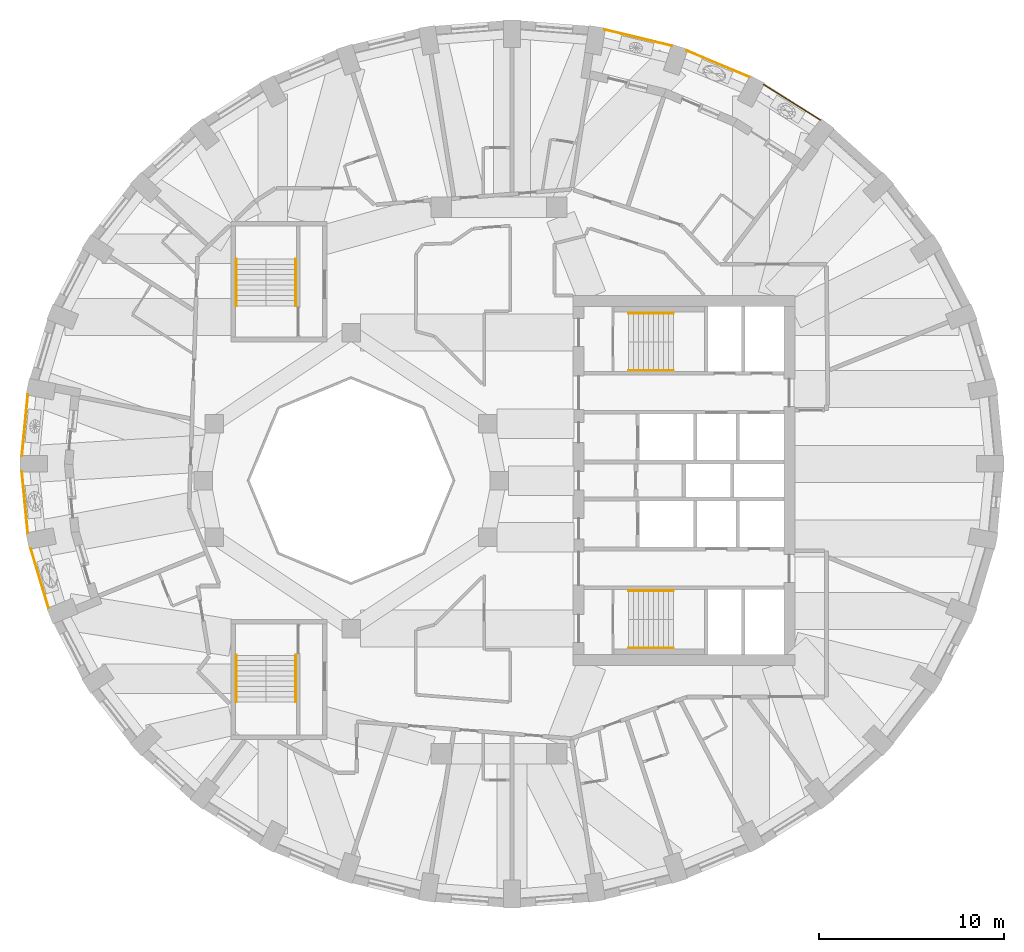
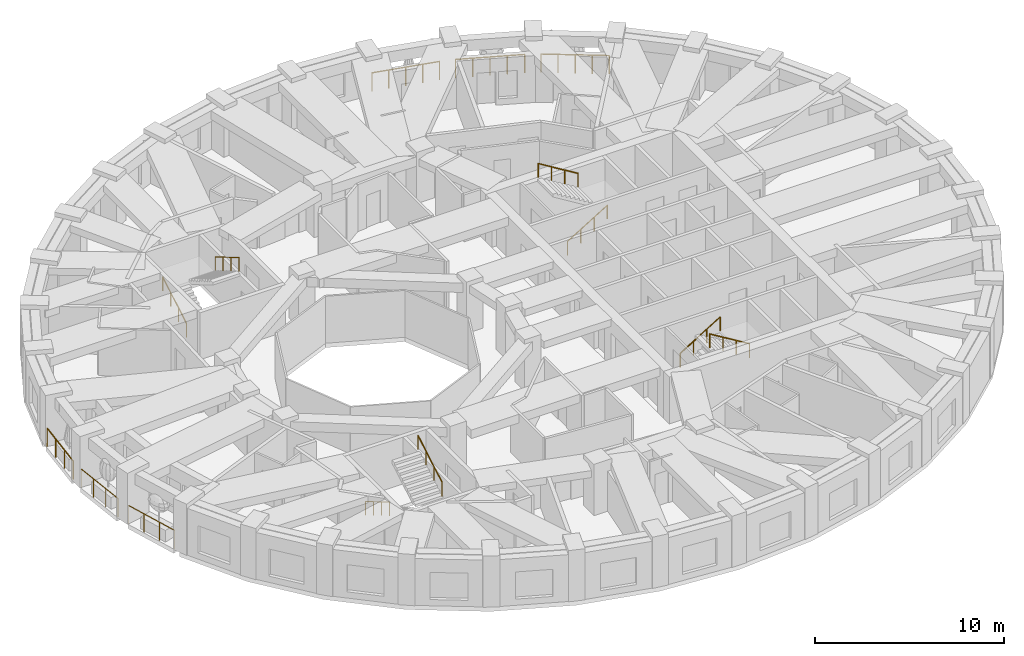
# One storey, part 10 of 12: 14 railings.
"""IFC4 building model written with IfcOpenShell, lengths in metres."""

import ifcopenshell
import ifcopenshell.guid

model = None  # the IFC model being written
_history = None  # IfcOwnerHistory: only IFC2X3 demands one
_inside = {}  # id of a spatial element -> (the spatial element, [elements in it])
_under = {}  # id of a project, library or spatial element -> (it, [spatial elements below it])
_declared = {}  # id of a project -> (the project, [libraries it declares])
_typed = {}  # id of a type object -> (the type object, [elements of that type])
_made_of = {}  # id of a material, layer set ... -> (it, [elements and type objects made of it])


def new_model(schema):
    """Start an empty IFC model of exactly this schema.

    Asked for "IFC4X3", IfcOpenShell would pick the latest addendum, in which some entities
    have other attributes; the version numbers below select the first issue.
    IFC2X3 requires an IfcOwnerHistory on every rooted entity: one is made here for all.
    """
    global model, _history
    if schema == "IFC4X3":
        model = ifcopenshell.file(schema_version=(4, 3, 0, 0))
    else:
        model = ifcopenshell.file(schema=schema)
    _inside.clear()
    _under.clear()
    _declared.clear()
    _typed.clear()
    _made_of.clear()
    _history = None
    if model.schema == "IFC2X3":
        org = make("IfcOrganization", Name="unknown")
        user = make(
            "IfcPersonAndOrganization",
            ThePerson=make("IfcPerson", FamilyName="unknown"),
            TheOrganization=org,
        )
        app = make(
            "IfcApplication",
            ApplicationDeveloper=org,
            Version="unknown",
            ApplicationFullName="unknown",
            ApplicationIdentifier="unknown",
        )
        _history = make(
            "IfcOwnerHistory",
            OwningUser=user,
            OwningApplication=app,
            ChangeAction="ADDED",
            CreationDate=0,
        )
    return model


def make(cls, **values):
    """One entity of the class cls with the attributes given. An attribute that is None is left unset."""
    return model.create_entity(
        cls, **{name: value for name, value in values.items() if value is not None}
    )


def rooted(cls, **values):
    """An entity with a GlobalId (a new one), such as an element, a storey or a relation."""
    return make(cls, GlobalId=ifcopenshell.guid.new(), OwnerHistory=_history, **values)


def si_unit(unit_type, name, prefix=None):
    """IfcSIUnit, for example si_unit("LENGTHUNIT", "METRE", prefix="MILLI")."""
    return make("IfcSIUnit", UnitType=unit_type, Prefix=prefix, Name=name)


def assignment(units):
    """IfcUnitAssignment: the units of a project."""
    return None if units is None else make("IfcUnitAssignment", Units=units)


def point(xyz):
    """IfcCartesianPoint."""
    return None if xyz is None else make("IfcCartesianPoint", Coordinates=xyz)


def direction(xyz):
    """IfcDirection."""
    return None if xyz is None else make("IfcDirection", DirectionRatios=xyz)


def frame(location, z_axis=None, x_axis=None):
    """IfcAxis2Placement3D, a coordinate frame: its origin and axes. An axis left out is left unset."""
    return make(
        "IfcAxis2Placement3D",
        Location=point(location),
        Axis=direction(z_axis),
        RefDirection=direction(x_axis),
    )


def frame_2d(location, x_axis=None):
    """IfcAxis2Placement2D, a coordinate frame in the plane: its origin and x axis."""
    return make(
        "IfcAxis2Placement2D", Location=point(location), RefDirection=direction(x_axis)
    )


def origin():
    """The frame at (0, 0, 0) with its axes left unset."""
    return frame((0.0, 0.0, 0.0))


def origin_2d():
    """The frame at (0, 0) in the plane with its x axis left unset."""
    return frame_2d((0.0, 0.0))


def place(relative_to, where):
    """IfcLocalPlacement: puts the frame where relative to a parent placement (None: the world)."""
    return make(
        "IfcLocalPlacement", PlacementRelTo=relative_to, RelativePlacement=where
    )


def context(
    kind, dimensions, precision=None, world=None, true_north=None, identifier=None
):
    """IfcGeometricRepresentationContext, for example the 3D "Model" context."""
    return make(
        "IfcGeometricRepresentationContext",
        ContextIdentifier=identifier,
        ContextType=kind,
        CoordinateSpaceDimension=dimensions,
        Precision=precision,
        WorldCoordinateSystem=world,
        TrueNorth=true_north,
    )


def subcontext(parent, identifier, kind, view, scale=None):
    """IfcGeometricRepresentationSubContext, for example "Body" below "Model"."""
    return make(
        "IfcGeometricRepresentationSubContext",
        ContextIdentifier=identifier,
        ContextType=kind,
        ParentContext=parent,
        TargetScale=scale,
        TargetView=view,
    )


def project(units=None, contexts=None):
    """IfcProject with its units and contexts."""
    return rooted(
        "IfcProject",
        Name="project",
        RepresentationContexts=contexts,
        UnitsInContext=assignment(units),
    )


def spatial(cls, under=None, at=None, **own):
    """A site, building, storey or space (cls), placed at a placement, below another one or the project."""
    s = rooted(cls, ObjectPlacement=at, **own)
    if under is not None:
        _under.setdefault(under.id(), (under, []))[1].append(s)
    return s


def profile(cls, at=None, kind="AREA", **sizes):
    """A parametric profile (cls). Its sizes go by their IFC names, for example OverallWidth=200.0."""
    return make(cls, ProfileType=kind, Position=at, **sizes)


def circle(**sizes):
    """IfcCircleProfileDef."""
    return profile("IfcCircleProfileDef", **sizes)


def extrude(swept, where, along, depth):
    """IfcExtrudedAreaSolid: the profile swept, set in the frame where, extruded along a direction by depth."""
    return make(
        "IfcExtrudedAreaSolid",
        SweptArea=swept,
        Position=where,
        ExtrudedDirection=direction(along),
        Depth=depth,
    )


def shape(context_of_items, identifier, shape_type, items):
    """IfcShapeRepresentation: the items that make up one representation, for example the "Body"."""
    return make(
        "IfcShapeRepresentation",
        ContextOfItems=context_of_items,
        RepresentationIdentifier=identifier,
        RepresentationType=shape_type,
        Items=items,
    )


def material(Name=None, Category=None):
    """IfcMaterial."""
    return make("IfcMaterial", Name=Name, Category=Category)


def made_of(thing, what):
    """Note that an element or type object is made of a material, layer set ...; save() writes the relation."""
    if what is not None:
        _made_of.setdefault(what.id(), (what, []))[1].append(thing)
    return thing


def type_object(cls, material=None, **own):
    """A type object (cls), such as IfcWallType, which elements share."""
    return made_of(rooted(cls, **own), material)


def element(
    cls,
    number,
    at=None,
    inside=None,
    cuts=None,
    type_object=None,
    material=None,
    context=None,
    identifier="Body",
    shape_type=None,
    held_by="IfcProductDefinitionShape",
    body=None,
    shapes=None,
    **own,
):
    """One element of the class cls, such as IfcWall. Its Tag is "e" and its number.

    at: its placement. inside: the storey or other place that contains it. cuts: it is an
    opening in that element (IfcRelVoidsElement). A single representation is given by context,
    identifier, shape_type and body (its items); several are given by shapes. held_by: the class
    of the entity that holds the representations. save() writes the other relations.
    """
    e = rooted(cls, Tag="e%d" % number, ObjectPlacement=at, **own)
    if body is not None:
        shapes = [shape(context, identifier, shape_type, body)]
    if shapes is not None:
        e.Representation = make(held_by, Representations=shapes)
    if inside is not None:
        _inside.setdefault(inside.id(), (inside, []))[1].append(e)
    if cuts is not None:
        rooted(
            "IfcRelVoidsElement", RelatingBuildingElement=cuts, RelatedOpeningElement=e
        )
    if type_object is not None:
        _typed.setdefault(type_object.id(), (type_object, []))[1].append(e)
    return made_of(e, material)


def aggregate(whole, parts):
    """IfcRelAggregates: a whole, such as a stair, and the parts it consists of."""
    return rooted("IfcRelAggregates", RelatingObject=whole, RelatedObjects=parts)


def save(model, path):
    """Write the relations noted so far, then the file.

    IfcRelAggregates (storeys below a building ...), IfcRelContainedInSpatialStructure (elements
    in a storey), IfcRelDefinesByType, IfcRelAssociatesMaterial and IfcRelDeclares: one each for
    every whole, place, type object, material and project.
    """
    for whole, parts in _under.values():
        aggregate(whole, parts)
    for where, things in _inside.values():
        rooted(
            "IfcRelContainedInSpatialStructure",
            RelatedElements=things,
            RelatingStructure=where,
        )
    for kind, things in _typed.values():
        rooted("IfcRelDefinesByType", RelatedObjects=things, RelatingType=kind)
    for what, things in _made_of.values():
        rooted("IfcRelAssociatesMaterial", RelatedObjects=things, RelatingMaterial=what)
    for by, libraries in _declared.values():
        rooted("IfcRelDeclares", RelatingContext=by, RelatedDefinitions=libraries)
    model.write(path)


model = new_model("IFC4")

# Units and contexts
model_context = context("Model", 3, precision=1e-05, world=origin(), true_north=direction((0.0, 1.0)))
body_context = subcontext(model_context, "Body", "Model", "MODEL_VIEW")
ifc_project = project(units=[si_unit("LENGTHUNIT", "METRE"), si_unit("AREAUNIT", "SQUARE_METRE"), si_unit("VOLUMEUNIT", "CUBIC_METRE"), si_unit("PLANEANGLEUNIT", "RADIAN"), si_unit("MASSUNIT", "GRAM", prefix="KILO")], contexts=[model_context])

# Site, building, storey
site_placement = place(None, origin())
site = spatial("IfcSite", under=ifc_project, at=site_placement, CompositionType="ELEMENT")
building_placement = place(site_placement, origin())
building = spatial("IfcBuilding", under=site, at=building_placement, Name="Taillehof Tower", CompositionType="ELEMENT")
storey_placement = place(building_placement, frame((0.0, 0.0, 189.199951171875)))
storey = spatial("IfcBuildingStorey", under=building, at=storey_placement, Name="L53", CompositionType="ELEMENT", Elevation=189.199951171875)

# Railings
ifc_material_1 = material(Name="Stainless steel balustrade", Category="steel")
railing_type_1 = type_object("IfcRailingType", Name="Balcony guard 1200", PredefinedType="GUARDRAIL", material=ifc_material_1)
railing_1_placement = place(storey_placement, frame((17.3671875, 19.490478515625, 0.0)))
element("IfcRailing", 1, at=railing_1_placement, inside=storey, type_object=railing_type_1, Name="Balcony guard L53 bay 6", PredefinedType="GUARDRAIL", context=body_context, shape_type="SweptSolid", body=[
    extrude(circle(Radius=0.02392578125, at=origin_2d()), frame((0.0, 0.0, 1.17578125), z_axis=(-0.846122283453, 0.532988819249, 0.0), x_axis=(-0.532988819249, -0.846122283453, 0.0)), (0.0, 0.0, 1.0), 3.614501953125),
    extrude(circle(Radius=0.02099609375, at=origin_2d()), origin(), (0.0, 0.0, 1.0), 1.15185546875),
    extrude(circle(Radius=0.02099609375, at=origin_2d()), frame((-0.7646484375, 0.481689453125, 0.0)), (0.0, 0.0, 1.0), 1.15185546875),
    extrude(circle(Radius=0.02099609375, at=origin_2d()), frame((-1.529296875, 0.96337890625, 0.0)), (0.0, 0.0, 1.0), 1.15185546875),
    extrude(circle(Radius=0.02099609375, at=origin_2d()), frame((-2.293701171875, 1.44482421875, 0.0)), (0.0, 0.0, 1.0), 1.15185546875),
    extrude(circle(Radius=0.02099609375, at=origin_2d()), frame((-3.058349609375, 1.926513671875, 0.0)), (0.0, 0.0, 1.0), 1.15185546875),
])
railing_2_placement = place(storey_placement, frame((13.545654296875, 21.813720703125, 0.0)))
element("IfcRailing", 2, at=railing_2_placement, inside=storey, type_object=railing_type_1, Name="Balcony guard L53 bay 7", PredefinedType="GUARDRAIL", context=body_context, shape_type="SweptSolid", body=[
    extrude(circle(Radius=0.02392578125, at=origin_2d()), frame((0.0, 0.0, 1.17578125), z_axis=(-0.922153135678, 0.386825017752, 0.0), x_axis=(-0.386825017752, -0.922153135678, 0.0)), (0.0, 0.0, 1.0), 3.677734375),
    extrude(circle(Radius=0.02099609375, at=origin_2d()), origin(), (0.0, 0.0, 1.0), 1.15185546875),
    extrude(circle(Radius=0.02099609375, at=origin_2d()), frame((-0.847900390625, 0.355712890625, 0.0)), (0.0, 0.0, 1.0), 1.15185546875),
    extrude(circle(Radius=0.02099609375, at=origin_2d()), frame((-1.69580078125, 0.71142578125, 0.0)), (0.0, 0.0, 1.0), 1.15185546875),
    extrude(circle(Radius=0.02099609375, at=origin_2d()), frame((-2.54345703125, 1.06689453125, 0.0)), (0.0, 0.0, 1.0), 1.15185546875),
    extrude(circle(Radius=0.02099609375, at=origin_2d()), frame((-3.391357421875, 1.422607421875, 0.0)), (0.0, 0.0, 1.0), 1.15185546875),
])
railing_3_placement = place(storey_placement, frame((9.3369140625, 23.50439453125, 0.0)))
element("IfcRailing", 3, at=railing_3_placement, inside=storey, type_object=railing_type_1, Name="Balcony guard L53 bay 8", PredefinedType="GUARDRAIL", context=body_context, shape_type="SweptSolid", body=[
    extrude(circle(Radius=0.02392578125, at=origin_2d()), frame((0.0, 0.0, 1.17578125), z_axis=(-0.972163104093, 0.234305140875, 0.0), x_axis=(-0.234305140875, -0.972163104093, 0.0)), (0.0, 0.0, 1.0), 3.72412109375),
    extrude(circle(Radius=0.02099609375, at=origin_2d()), origin(), (0.0, 0.0, 1.0), 1.15185546875),
    extrude(circle(Radius=0.02099609375, at=origin_2d()), frame((-0.905029296875, 0.21826171875, 0.0)), (0.0, 0.0, 1.0), 1.15185546875),
    extrude(circle(Radius=0.02099609375, at=origin_2d()), frame((-1.81005859375, 0.436279296875, 0.0)), (0.0, 0.0, 1.0), 1.15185546875),
    extrude(circle(Radius=0.02099609375, at=origin_2d()), frame((-2.71533203125, 0.654296875, 0.0)), (0.0, 0.0, 1.0), 1.15185546875),
    extrude(circle(Radius=0.02099609375, at=origin_2d()), frame((-3.620361328125, 0.87255859375, 0.0)), (0.0, 0.0, 1.0), 1.15185546875),
])
railing_4_placement = place(storey_placement, frame((-25.47607421875, 4.6396484375, 0.0)))
element("IfcRailing", 4, at=railing_4_placement, inside=storey, type_object=railing_type_1, Name="Balcony guard L53 bay 18", PredefinedType="GUARDRAIL", context=body_context, shape_type="SweptSolid", body=[
    extrude(circle(Radius=0.02392578125, at=origin_2d()), frame((0.0, 0.0, 1.17578125), z_axis=(-0.096770014858, -0.995306768903, 0.0), x_axis=(0.995306768903, -0.096770014858, 0.0)), (0.0, 0.0, 1.0), 3.3251953125),
    extrude(circle(Radius=0.02099609375, at=origin_2d()), origin(), (0.0, 0.0, 1.0), 1.15185546875),
    extrude(circle(Radius=0.02099609375, at=origin_2d()), frame((-0.107177734375, -1.103271484375, 0.0)), (0.0, 0.0, 1.0), 1.15185546875),
    extrude(circle(Radius=0.02099609375, at=origin_2d()), frame((-0.214599609375, -2.206298828125, 0.0)), (0.0, 0.0, 1.0), 1.15185546875),
    extrude(circle(Radius=0.02099609375, at=origin_2d()), frame((-0.32177734375, -3.3095703125, 0.0)), (0.0, 0.0, 1.0), 1.15185546875),
])
railing_5_placement = place(storey_placement, frame((-25.7978515625, 0.469970703125, 0.0)))
element("IfcRailing", 5, at=railing_5_placement, inside=storey, type_object=railing_type_1, Name="Balcony guard L53 bay 19", PredefinedType="GUARDRAIL", context=body_context, shape_type="SweptSolid", body=[
    extrude(circle(Radius=0.02392578125, at=origin_2d()), frame((0.0, 0.0, 1.17578125), z_axis=(0.096770014858, -0.995306768903, 0.0), x_axis=(0.995306768903, 0.096770014858, 0.0)), (0.0, 0.0, 1.0), 3.3251953125),
    extrude(circle(Radius=0.02099609375, at=origin_2d()), origin(), (0.0, 0.0, 1.0), 1.15185546875),
    extrude(circle(Radius=0.02099609375, at=origin_2d()), frame((0.107177734375, -1.103271484375, 0.0)), (0.0, 0.0, 1.0), 1.15185546875),
    extrude(circle(Radius=0.02099609375, at=origin_2d()), frame((0.214599609375, -2.206298828125, 0.0)), (0.0, 0.0, 1.0), 1.15185546875),
    extrude(circle(Radius=0.02099609375, at=origin_2d()), frame((0.32177734375, -3.3095703125, 0.0)), (0.0, 0.0, 1.0), 1.15185546875),
])
railing_6_placement = place(storey_placement, frame((-25.310791015625, -3.683837890625, 0.0)))
element("IfcRailing", 6, at=railing_6_placement, inside=storey, type_object=railing_type_1, Name="Balcony guard L53 bay 20", PredefinedType="GUARDRAIL", context=body_context, shape_type="SweptSolid", body=[
    extrude(circle(Radius=0.02392578125, at=origin_2d()), frame((0.0, 0.0, 1.17578125), z_axis=(0.285469468933, -0.958387803714, 0.0), x_axis=(0.958387803714, 0.285469468933, 0.0)), (0.0, 0.0, 1.0), 3.3515625),
    extrude(circle(Radius=0.02099609375, at=origin_2d()), origin(), (0.0, 0.0, 1.0), 1.15185546875),
    extrude(circle(Radius=0.02099609375, at=origin_2d()), frame((0.31884765625, -1.07080078125, 0.0)), (0.0, 0.0, 1.0), 1.15185546875),
    extrude(circle(Radius=0.02099609375, at=origin_2d()), frame((0.637939453125, -2.141357421875, 0.0)), (0.0, 0.0, 1.0), 1.15185546875),
    extrude(circle(Radius=0.02099609375, at=origin_2d()), frame((0.956787109375, -3.212158203125, 0.0)), (0.0, 0.0, 1.0), 1.15185546875),
])
ifc_material_2 = material(Name="Stainless steel", Category="steel")
railing_type_2 = type_object("IfcRailingType", Name="Stair handrail 900", PredefinedType="HANDRAIL", material=ifc_material_2)
railing_7_placement = place(storey_placement, frame((7.0, 5.949951171875, 0.1650390625)))
element("IfcRailing", 7, at=railing_7_placement, inside=storey, type_object=railing_type_2, Name="Stair S1 handrail", PredefinedType="HANDRAIL", context=body_context, shape_type="SweptSolid", body=[
    extrude(circle(Radius=0.02392578125, at=origin_2d()), frame((0.0, 0.0, 0.8759765625), z_axis=(0.853258522278, 0.0, 0.521488153423), x_axis=(0.0, 1.0, 0.0)), (0.0, 0.0, 1.0), 2.847900390625),
    extrude(circle(Radius=0.02099609375, at=origin_2d()), origin(), (0.0, 0.0, 1.0), 0.851806640625),
    extrude(circle(Radius=0.02099609375, at=origin_2d()), frame((0.81005859375, 0.0, 0.4951171875)), (0.0, 0.0, 1.0), 0.851806640625),
    extrude(circle(Radius=0.02099609375, at=origin_2d()), frame((1.619873046875, 0.0, 0.989990234375)), (0.0, 0.0, 1.0), 0.851806640625),
    extrude(circle(Radius=0.02099609375, at=origin_2d()), frame((2.429931640625, 0.0, 1.485107421875)), (0.0, 0.0, 1.0), 0.851806640625),
])
railing_8_placement = place(storey_placement, frame((9.429931640625, 9.050048828125, 1.81494140625)))
element("IfcRailing", 8, at=railing_8_placement, inside=storey, type_object=railing_type_2, Name="Stair S1 handrail", PredefinedType="HANDRAIL", context=body_context, shape_type="SweptSolid", body=[
    extrude(circle(Radius=0.02392578125, at=origin_2d()), frame((0.0, 0.0, 0.8759765625), z_axis=(-0.853258522278, 0.0, 0.521488153423), x_axis=(0.0, -1.0, 0.0)), (0.0, 0.0, 1.0), 2.847900390625),
    extrude(circle(Radius=0.02099609375, at=origin_2d()), origin(), (0.0, 0.0, 1.0), 0.851806640625),
    extrude(circle(Radius=0.02099609375, at=origin_2d()), frame((-0.81005859375, 0.0, 0.4951171875)), (0.0, 0.0, 1.0), 0.851806640625),
    extrude(circle(Radius=0.02099609375, at=origin_2d()), frame((-1.619873046875, 0.0, 0.989990234375)), (0.0, 0.0, 1.0), 0.851806640625),
    extrude(circle(Radius=0.02099609375, at=origin_2d()), frame((-2.429931640625, 0.0, 1.485107421875)), (0.0, 0.0, 1.0), 0.851806640625),
])
railing_9_placement = place(storey_placement, frame((7.0, -5.949951171875, 0.1650390625)))
element("IfcRailing", 9, at=railing_9_placement, inside=storey, type_object=railing_type_2, Name="Stair S2 handrail", PredefinedType="HANDRAIL", context=body_context, shape_type="SweptSolid", body=[
    extrude(circle(Radius=0.02392578125, at=origin_2d()), frame((0.0, 0.0, 0.8759765625), z_axis=(0.853258522278, 0.0, 0.521488153423), x_axis=(0.0, 1.0, 0.0)), (0.0, 0.0, 1.0), 2.847900390625),
    extrude(circle(Radius=0.02099609375, at=origin_2d()), origin(), (0.0, 0.0, 1.0), 0.851806640625),
    extrude(circle(Radius=0.02099609375, at=origin_2d()), frame((0.81005859375, 0.0, 0.4951171875)), (0.0, 0.0, 1.0), 0.851806640625),
    extrude(circle(Radius=0.02099609375, at=origin_2d()), frame((1.619873046875, 0.0, 0.989990234375)), (0.0, 0.0, 1.0), 0.851806640625),
    extrude(circle(Radius=0.02099609375, at=origin_2d()), frame((2.429931640625, 0.0, 1.485107421875)), (0.0, 0.0, 1.0), 0.851806640625),
])
railing_10_placement = place(storey_placement, frame((9.429931640625, -9.050048828125, 1.81494140625)))
element("IfcRailing", 10, at=railing_10_placement, inside=storey, type_object=railing_type_2, Name="Stair S2 handrail", PredefinedType="HANDRAIL", context=body_context, shape_type="SweptSolid", body=[
    extrude(circle(Radius=0.02392578125, at=origin_2d()), frame((0.0, 0.0, 0.8759765625), z_axis=(-0.853258522278, 0.0, 0.521488153423), x_axis=(0.0, -1.0, 0.0)), (0.0, 0.0, 1.0), 2.847900390625),
    extrude(circle(Radius=0.02099609375, at=origin_2d()), origin(), (0.0, 0.0, 1.0), 0.851806640625),
    extrude(circle(Radius=0.02099609375, at=origin_2d()), frame((-0.81005859375, 0.0, 0.4951171875)), (0.0, 0.0, 1.0), 0.851806640625),
    extrude(circle(Radius=0.02099609375, at=origin_2d()), frame((-1.619873046875, 0.0, 0.989990234375)), (0.0, 0.0, 1.0), 0.851806640625),
    extrude(circle(Radius=0.02099609375, at=origin_2d()), frame((-2.429931640625, 0.0, 1.485107421875)), (0.0, 0.0, 1.0), 0.851806640625),
])
railing_11_placement = place(storey_placement, frame((-14.199951171875, 9.449951171875, 0.1650390625)))
element("IfcRailing", 11, at=railing_11_placement, inside=storey, type_object=railing_type_2, Name="Stair S3 handrail", PredefinedType="HANDRAIL", context=body_context, shape_type="SweptSolid", body=[
    extrude(circle(Radius=0.02392578125, at=origin_2d()), frame((0.0, 0.0, 0.8759765625), z_axis=(0.0, 0.86152411907, 0.507716645641), x_axis=(-1.0, 0.0, 0.0)), (0.0, 0.0, 1.0), 2.925048828125),
    extrude(circle(Radius=0.02099609375, at=origin_2d()), origin(), (0.0, 0.0, 1.0), 0.851806640625),
    extrude(circle(Radius=0.02099609375, at=origin_2d()), frame((0.0, 0.840087890625, 0.4951171875)), (0.0, 0.0, 1.0), 0.851806640625),
    extrude(circle(Radius=0.02099609375, at=origin_2d()), frame((0.0, 1.679931640625, 0.989990234375)), (0.0, 0.0, 1.0), 0.851806640625),
    extrude(circle(Radius=0.02099609375, at=origin_2d()), frame((0.0, 2.52001953125, 1.485107421875)), (0.0, 0.0, 1.0), 0.851806640625),
])
for number, where, name in (
    (12, (-11.0, 11.969970703125, 1.81494140625), "Stair S3 handrail"),
    (13, (-14.199951171875, -9.449951171875, 0.1650390625), "Stair S4 handrail"),
):
    element("IfcRailing", number, at=place(storey_placement, frame(where)), inside=storey, type_object=railing_type_2, Name=name, PredefinedType="HANDRAIL", context=body_context, shape_type="SweptSolid", body=[
        extrude(circle(Radius=0.02392578125, at=origin_2d()), frame((0.0, 0.0, 0.8759765625), z_axis=(0.0, -0.86152411907, 0.507716645641), x_axis=(1.0, 0.0, 0.0)), (0.0, 0.0, 1.0), 2.925048828125),
        extrude(circle(Radius=0.02099609375, at=origin_2d()), origin(), (0.0, 0.0, 1.0), 0.851806640625),
        extrude(circle(Radius=0.02099609375, at=origin_2d()), frame((0.0, -0.840087890625, 0.4951171875)), (0.0, 0.0, 1.0), 0.851806640625),
        extrude(circle(Radius=0.02099609375, at=origin_2d()), frame((0.0, -1.679931640625, 0.989990234375)), (0.0, 0.0, 1.0), 0.851806640625),
        extrude(circle(Radius=0.02099609375, at=origin_2d()), frame((0.0, -2.52001953125, 1.485107421875)), (0.0, 0.0, 1.0), 0.851806640625),
    ])
railing_12_placement = place(storey_placement, frame((-11.0, -11.969970703125, 1.81494140625)))
element("IfcRailing", 14, at=railing_12_placement, inside=storey, type_object=railing_type_2, Name="Stair S4 handrail", PredefinedType="HANDRAIL", context=body_context, shape_type="SweptSolid", body=[
    extrude(circle(Radius=0.02392578125, at=origin_2d()), frame((0.0, 0.0, 0.8759765625), z_axis=(0.0, 0.86152411907, 0.507716645641), x_axis=(-1.0, 0.0, 0.0)), (0.0, 0.0, 1.0), 2.925048828125),
    extrude(circle(Radius=0.02099609375, at=origin_2d()), origin(), (0.0, 0.0, 1.0), 0.851806640625),
    extrude(circle(Radius=0.02099609375, at=origin_2d()), frame((0.0, 0.840087890625, 0.4951171875)), (0.0, 0.0, 1.0), 0.851806640625),
    extrude(circle(Radius=0.02099609375, at=origin_2d()), frame((0.0, 1.679931640625, 0.989990234375)), (0.0, 0.0, 1.0), 0.851806640625),
    extrude(circle(Radius=0.02099609375, at=origin_2d()), frame((0.0, 2.52001953125, 1.485107421875)), (0.0, 0.0, 1.0), 0.851806640625),
])

save(model, "model.ifc")
